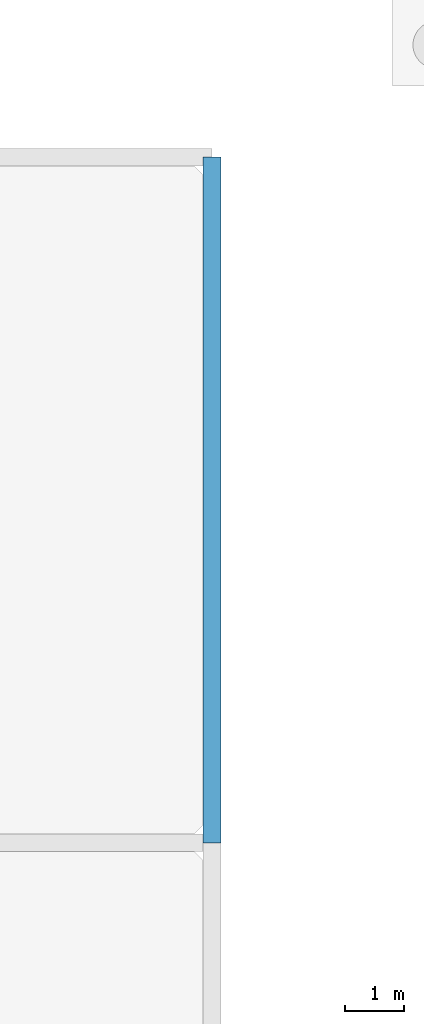
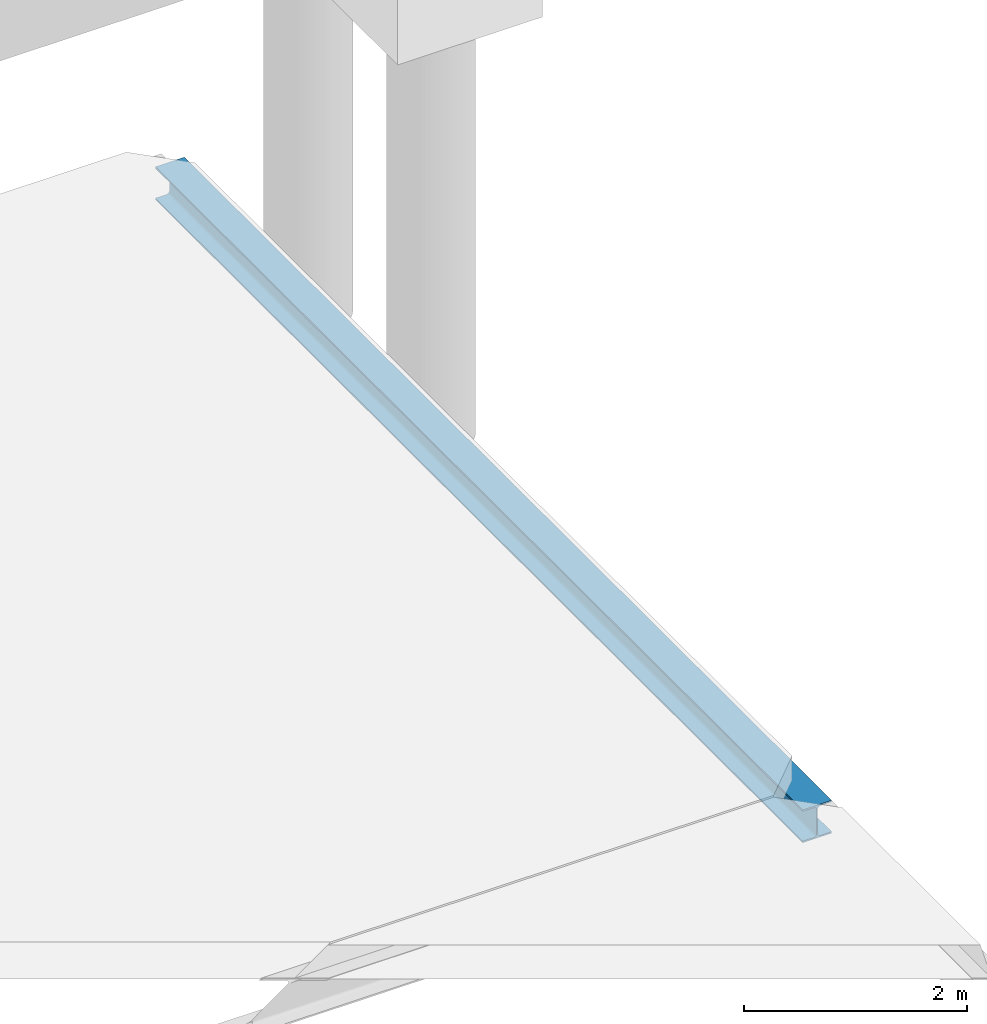
# One storey, part 44 of 125: 1 beam.
"""IFC4 building model written with IfcOpenShell, lengths in metres."""

from ifc_helpers import new_model, si_unit, direction, frame, origin, origin_2d, place, context, subcontext, project, spatial, i_section, extrude, material, material_profile, profile_set, type_object, element, save


model = new_model("IFC4")

# Units and contexts
model_context = context("Model", 3, precision=1e-05, world=origin(), true_north=direction((0.0, 1.0)))
body_context = subcontext(model_context, "Body", "Model", "MODEL_VIEW")
ifc_project = project(units=[si_unit("LENGTHUNIT", "METRE"), si_unit("AREAUNIT", "SQUARE_METRE"), si_unit("VOLUMEUNIT", "CUBIC_METRE"), si_unit("PLANEANGLEUNIT", "RADIAN"), si_unit("MASSUNIT", "GRAM", prefix="KILO")], contexts=[model_context])

# Site, building, storey
site_placement = place(None, origin())
site = spatial("IfcSite", under=ifc_project, at=site_placement, CompositionType="ELEMENT")
building_placement = place(site_placement, origin())
building = spatial("IfcBuilding", under=site, at=building_placement, Name="Serraforn Aerial Cableway Station", CompositionType="ELEMENT")
storey_placement = place(building_placement, frame((0.0, 0.0, 4.5)))
storey = spatial("IfcBuildingStorey", under=building, at=storey_placement, Name="L01", CompositionType="ELEMENT", Elevation=4.5)

# Beam
ifc_material = material(Name="Steel S355JR", Category="steel")
ifc_material_profile = material_profile(ifc_material, i_section(OverallWidth=0.300048828125, OverallDepth=0.360107421875, WebThickness=0.010009765625, FlangeThickness=0.017578125, FilletRadius=0.027099609375, at=origin_2d()), Name="HEA 360")
ifc_profile_set = profile_set([ifc_material_profile], Name="Steel S355JR")
beam_type = type_object("IfcBeamType", Name="BM-ST-HEA360", PredefinedType="BEAM", material=ifc_profile_set)
beam_placement = place(storey_placement, frame((164.199951171875, 31.0, -0.445068359375), z_axis=(0.0, 1.0, 0.0), x_axis=(-1.0, 0.0, 0.0)))
element("IfcBeam", 1, at=beam_placement, inside=storey, type_object=beam_type, Name="Colonnade Cross Beam EFY-2-2", PredefinedType="BEAM", context=body_context, shape_type="SweptSolid", body=[
    extrude(i_section(OverallWidth=0.300048828125, OverallDepth=0.360107421875, WebThickness=0.010009765625, FlangeThickness=0.017578125, FilletRadius=0.027099609375, at=origin_2d()), origin(), (0.0, 0.0, 1.0), 11.60009765625),
])

save(model, "model.ifc")
